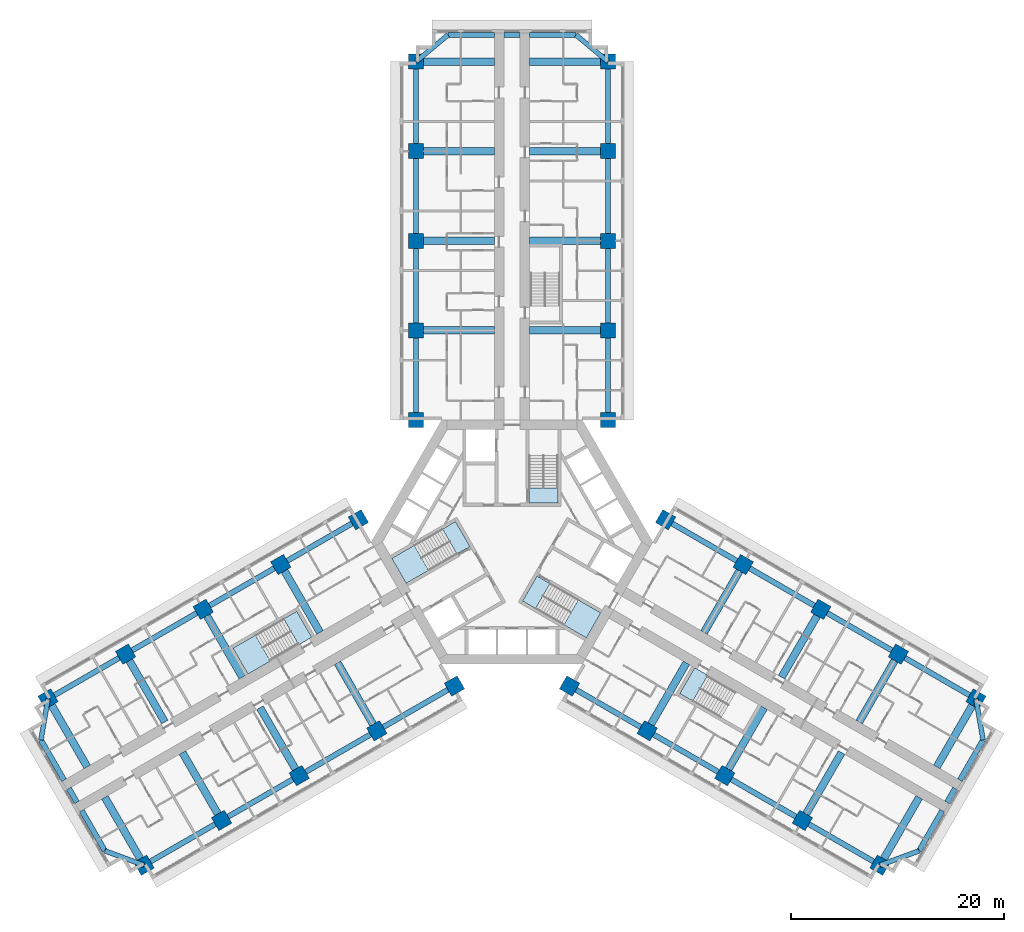
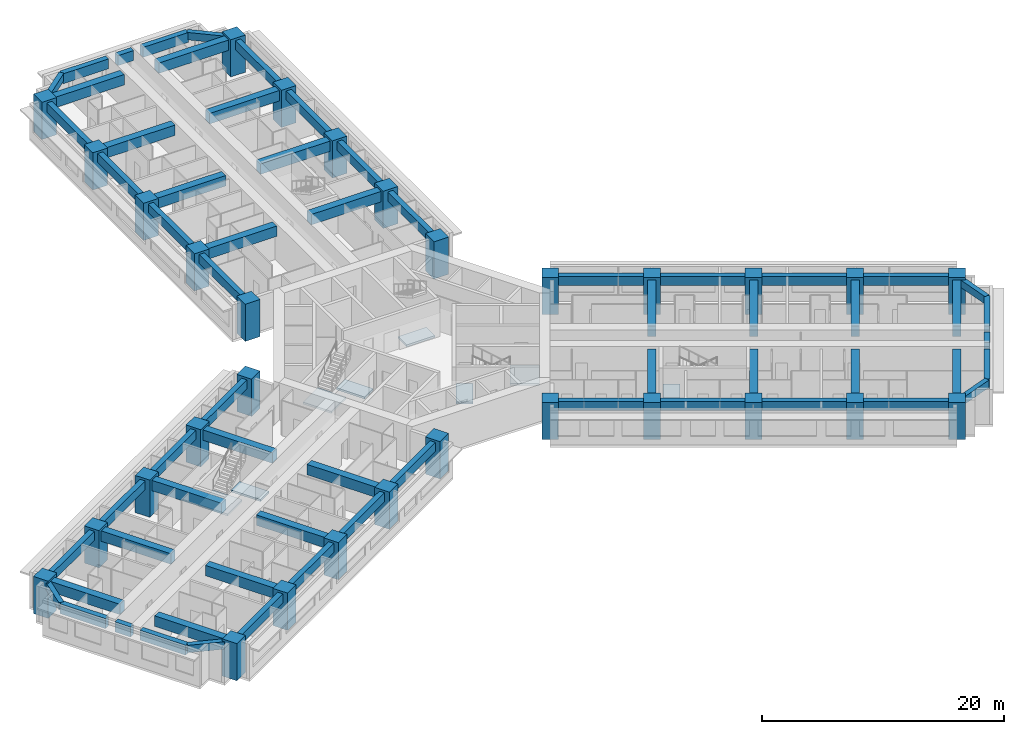
# One storey, part 1 of 16: 63 beams, 30 columns, 8 slabs, 5 elements without a shape of their own.
"""IFC4 building model written with IfcOpenShell, lengths in metres."""

from ifc_helpers import new_model, si_unit, direction, frame, origin, origin_2d, place, context, subcontext, project, spatial, polyline, rectangle, outline, extrude, material, layer, layer_set, material_profile, profile_set, type_object, element, aggregate, save


model = new_model("IFC4")

# Units and contexts
model_context = context("Model", 3, precision=1e-05, world=origin(), true_north=direction((0.0, 1.0)))
body_context = subcontext(model_context, "Body", "Model", "MODEL_VIEW")
ifc_project = project(units=[si_unit("LENGTHUNIT", "METRE"), si_unit("AREAUNIT", "SQUARE_METRE"), si_unit("VOLUMEUNIT", "CUBIC_METRE"), si_unit("PLANEANGLEUNIT", "RADIAN"), si_unit("MASSUNIT", "GRAM", prefix="KILO")], contexts=[model_context])

# Site, building, storey
site_placement = place(None, origin())
site = spatial("IfcSite", under=ifc_project, at=site_placement, CompositionType="ELEMENT")
building_placement = place(site_placement, origin())
building = spatial("IfcBuilding", under=site, at=building_placement, Name="Impinga Residences", CompositionType="ELEMENT")
storey_placement = place(building_placement, frame((0.0, 0.0, 63.5)))
storey = spatial("IfcBuildingStorey", under=building, at=storey_placement, Name="L15", CompositionType="ELEMENT", Elevation=63.5)

# Columns
ifc_material_1 = material(Name="Concrete C70/85", Category="concrete")
ifc_material_profile_1 = material_profile(ifc_material_1, rectangle(XDim=1.39990234375, YDim=1.39990234375, at=origin_2d()), Name="RC 1400x1400")
ifc_profile_set_1 = profile_set([ifc_material_profile_1], Name="Concrete C70/85")
column_type = type_object("IfcColumnType", Name="C2 1400x1400 column", PredefinedType="COLUMN", material=ifc_profile_set_1)
for number, where, z_axis, x_axis, name in (
    (1, (-9.0, 11.431640625, 0.0), (0.0, 0.0, 1.0), (1.0, 0.0, 0.0), "Column C2 N1/NA L15"),
    (2, (9.0, 11.431640625, 0.0), (0.0, 0.0, 1.0), (1.0, 0.0, 0.0), "Column C2 N1/NF L15"),
    (3, (-9.0, 19.83154296875, 0.0), (0.0, 0.0, 1.0), (1.0, 0.0, 0.0), "Column C2 N2/NA L15"),
    (4, (9.0, 19.83154296875, 0.0), (0.0, 0.0, 1.0), (1.0, 0.0, 0.0), "Column C2 N2/NF L15"),
    (5, (-9.0, 28.2314453125, 0.0), (0.0, 0.0, 1.0), (1.0, 0.0, 0.0), "Column C2 N3/NA L15"),
    (6, (9.0, 28.2314453125, 0.0), (0.0, 0.0, 1.0), (1.0, 0.0, 0.0), "Column C2 N3/NF L15"),
    (7, (-9.0, 36.631591796875, 0.0), (0.0, 0.0, 1.0), (1.0, 0.0, 0.0), "Column C2 N4/NA L15"),
    (8, (9.0, 36.631591796875, 0.0), (0.0, 0.0, 1.0), (1.0, 0.0, 0.0), "Column C2 N4/NF L15"),
    (9, (-9.0, 45.031494140625, 0.0), (0.0, 0.0, 1.0), (1.0, 0.0, 0.0), "Column C2 N5/NA L15"),
    (10, (9.0, 45.031494140625, 0.0), (0.0, 0.0, 1.0), (1.0, 0.0, 0.0), "Column C2 N5/NF L15"),
    (11, (-5.39990234375, -13.510009765625, 0.0), (0.0, 0.0, 1.0), (-0.5, 0.866025403784, 0.0), "Column C2 W1/WA L15"),
    (12, (-14.39990234375, 2.078369140625, 0.0), (0.0, 0.0, 1.0), (-0.5, 0.866025403784, 0.0), "Column C2 W1/WF L15"),
    (13, (-12.674560546875, -17.7099609375, 0.0), (0.0, 0.0, 1.0), (-0.5, 0.866025403784, 0.0), "Column C2 W2/WA L15"),
    (14, (-21.674560546875, -2.12158203125, 0.0), (0.0, 0.0, 1.0), (-0.5, 0.866025403784, 0.0), "Column C2 W2/WF L15"),
    (15, (-19.94921875, -21.909912109375, 0.0), (0.0, 0.0, 1.0), (-0.5, 0.866025403784, 0.0), "Column C2 W3/WA L15"),
    (16, (-28.94921875, -6.321533203125, 0.0), (0.0, 0.0, 1.0), (-0.5, 0.866025403784, 0.0), "Column C2 W3/WF L15"),
    (17, (-27.223876953125, -26.110107421875, 0.0), (0.0, 0.0, 1.0), (-0.5, 0.866025403784, 0.0), "Column C2 W4/WA L15"),
    (18, (-36.223876953125, -10.521484375, 0.0), (0.0, 0.0, 1.0), (-0.5, 0.866025403784, 0.0), "Column C2 W4/WF L15"),
    (19, (-34.49853515625, -30.31005859375, 0.0), (0.0, 0.0, 1.0), (-0.5, 0.866025403784, 0.0), "Column C2 W5/WA L15"),
    (20, (-43.49853515625, -14.721435546875, 0.0), (0.0, 0.0, 1.0), (-0.5, 0.866025403784, 0.0), "Column C2 W5/WF L15"),
    (21, (14.39990234375, 2.078369140625, 0.0), (0.0, 0.0, 1.0), (-0.5, -0.866025403784, 0.0), "Column C2 E1/EA L15"),
    (22, (5.39990234375, -13.510009765625, 0.0), (0.0, 0.0, 1.0), (-0.5, -0.866025403784, 0.0), "Column C2 E1/EF L15"),
    (23, (21.674560546875, -2.12158203125, 0.0), (0.0, 0.0, 1.0), (-0.5, -0.866025403784, 0.0), "Column C2 E2/EA L15"),
    (24, (12.674560546875, -17.7099609375, 0.0), (0.0, 0.0, 1.0), (-0.5, -0.866025403784, 0.0), "Column C2 E2/EF L15"),
    (25, (28.94921875, -6.321533203125, 0.0), (0.0, 0.0, 1.0), (-0.5, -0.866025403784, 0.0), "Column C2 E3/EA L15"),
    (26, (19.94921875, -21.909912109375, 0.0), (0.0, 0.0, 1.0), (-0.5, -0.866025403784, 0.0), "Column C2 E3/EF L15"),
    (27, (36.223876953125, -10.521484375, 0.0), (0.0, 0.0, 1.0), (-0.5, -0.866025403784, 0.0), "Column C2 E4/EA L15"),
    (28, (27.223876953125, -26.110107421875, 0.0), (0.0, 0.0, 1.0), (-0.5, -0.866025403784, 0.0), "Column C2 E4/EF L15"),
    (29, (43.49853515625, -14.721435546875, 0.0), (0.0, 0.0, 1.0), (-0.5, -0.866025403784, 0.0), "Column C2 E5/EA L15"),
    (30, (34.49853515625, -30.31005859375, 0.0), (0.0, 0.0, 1.0), (-0.5, -0.866025403784, 0.0), "Column C2 E5/EF L15"),
):
    element("IfcColumn", number, at=place(storey_placement, frame(where, z_axis=z_axis, x_axis=x_axis)), inside=storey, type_object=column_type, Name=name, PredefinedType="COLUMN", context=body_context, shape_type="SweptSolid", body=[
        extrude(rectangle(XDim=1.39990234375, YDim=1.39990234375, at=origin_2d()), origin(), (0.0, 0.0, 1.0), 3.75),
    ])

# Beams
ifc_material_2 = material(Name="Concrete C60/75", Category="concrete")
ifc_material_profile_2 = material_profile(ifc_material_2, rectangle(XDim=0.449951171875, YDim=0.75, at=origin_2d()), Name="RC 450x750")
ifc_profile_set_2 = profile_set([ifc_material_profile_2], Name="Concrete C60/75")
beam_type_1 = type_object("IfcBeamType", Name="CB1 450x750 wing end cantilever beam", PredefinedType="BEAM", material=ifc_profile_set_2)
for number, where, z_axis, x_axis, name in (
    (31, (-9.0, 45.031494140625, 3.155029296875), (0.768221279597, 0.640184399664, 0.0), (-0.640184399664, 0.768221279597, 0.0), "Beam CB1 NB N5-NX level L16"),
    (32, (9.0, 45.031494140625, 3.155029296875), (-0.768221279597, 0.640184399664, 0.0), (-0.640184399664, -0.768221279597, 0.0), "Beam CB1 NE N5-NX level L16"),
    (33, (-34.49853515625, -30.31005859375, 3.155029296875), (-0.938520178725, 0.345224382289, 0.0), (-0.345224382289, -0.938520178725, 0.0), "Beam CB1 WB W5-WX level L16"),
):
    element("IfcBeam", number, at=place(storey_placement, frame(where, z_axis=z_axis, x_axis=x_axis)), inside=storey, type_object=beam_type_1, Name=name, PredefinedType="BEAM", context=body_context, shape_type="SweptSolid", body=[
        extrude(rectangle(XDim=0.449951171875, YDim=0.75, at=origin_2d()), origin(), (0.0, 0.0, 1.0), 3.905029296875),
    ])
for number, where, z_axis, x_axis, name in (
    (34, (-43.49853515625, -14.721435546875, 3.155029296875), (-0.170296298948, -0.985392901621, 0.0), (0.985392901621, -0.170296298948, 0.0), "Beam CB1 WE W5-WX level L16"),
    (35, (43.49853515625, -14.721435546875, 3.155029296875), (0.170296298948, -0.985392901621, 0.0), (0.985392901621, 0.170296298948, 0.0), "Beam CB1 EB E5-EX level L16"),
):
    element("IfcBeam", number, at=place(storey_placement, frame(where, z_axis=z_axis, x_axis=x_axis)), inside=storey, type_object=beam_type_1, Name=name, PredefinedType="BEAM", context=body_context, shape_type="SweptSolid", body=[
        extrude(rectangle(XDim=0.449951171875, YDim=0.75, at=origin_2d()), origin(), (0.0, 0.0, 1.0), 3.9052734375),
    ])
beam_1_placement = place(storey_placement, frame((34.49853515625, -30.31005859375, 3.155029296875), z_axis=(0.938520178725, 0.345224382289, 0.0), x_axis=(-0.345224382289, 0.938520178725, 0.0)))
element("IfcBeam", 36, at=beam_1_placement, inside=storey, type_object=beam_type_1, Name="Beam CB1 EE E5-EX level L16", PredefinedType="BEAM", context=body_context, shape_type="SweptSolid", body=[
    extrude(rectangle(XDim=0.449951171875, YDim=0.75, at=origin_2d()), origin(), (0.0, 0.0, 1.0), 3.905029296875),
])
ifc_material_profile_3 = material_profile(ifc_material_2, rectangle(XDim=0.699951171875, YDim=1.050048828125, at=origin_2d()), Name="RC 700x1050")
ifc_profile_set_3 = profile_set([ifc_material_profile_3], Name="Concrete C60/75")
beam_type_2 = type_object("IfcBeamType", Name="CG1 700x1050 cross girder on a wing bay line", PredefinedType="BEAM", material=ifc_profile_set_3)
for number, where, z_axis, x_axis, name in (
    (37, (-1.64990234375, 19.83154296875, 3.0048828125), (-1.0, 0.0, 0.0), (0.0, -1.0, 0.0), "Beam CG1 N2 NC/NA level L16"),
    (38, (-1.64990234375, 28.2314453125, 3.0048828125), (-1.0, 0.0, 0.0), (0.0, -1.0, 0.0), "Beam CG1 N3 NC/NA level L16"),
    (39, (-1.64990234375, 36.631591796875, 3.0048828125), (-1.0, 0.0, 0.0), (0.0, -1.0, 0.0), "Beam CG1 N4 NC/NA level L16"),
    (40, (-1.64990234375, 45.031494140625, 3.0048828125), (-1.0, 0.0, 0.0), (0.0, -1.0, 0.0), "Beam CG1 N5 NC/NA level L16"),
    (41, (1.64990234375, 19.83154296875, 3.0048828125), (1.0, 0.0, 0.0), (0.0, 1.0, 0.0), "Beam CG1 N2 NC/NF level L16"),
    (42, (1.64990234375, 28.2314453125, 3.0048828125), (1.0, 0.0, 0.0), (0.0, 1.0, 0.0), "Beam CG1 N3 NC/NF level L16"),
    (43, (1.64990234375, 36.631591796875, 3.0048828125), (1.0, 0.0, 0.0), (0.0, 1.0, 0.0), "Beam CG1 N4 NC/NF level L16"),
    (44, (1.64990234375, 45.031494140625, 3.0048828125), (1.0, 0.0, 0.0), (0.0, 1.0, 0.0), "Beam CG1 N5 NC/NF level L16"),
    (45, (-16.349609375, -11.3447265625, 3.0048828125), (0.500008066151, -0.86602074674, 0.0), (0.86602074674, 0.500008066151, 0.0), "Beam CG1 W2 WC/WA level L16"),
    (46, (-23.624267578125, -15.544677734375, 3.0048828125), (0.500008066151, -0.86602074674, 0.0), (0.86602074674, 0.500008066151, 0.0), "Beam CG1 W3 WC/WA level L16"),
    (47, (-30.89892578125, -19.74462890625, 3.0048828125), (0.499993683172, -0.866029050776, 0.0), (0.866029050776, 0.499993683172, 0.0), "Beam CG1 W4 WC/WA level L16"),
):
    element("IfcBeam", number, at=place(storey_placement, frame(where, z_axis=z_axis, x_axis=x_axis)), inside=storey, type_object=beam_type_2, Name=name, PredefinedType="BEAM", context=body_context, shape_type="SweptSolid", body=[
        extrude(rectangle(XDim=0.699951171875, YDim=1.050048828125, at=origin_2d()), origin(), (0.0, 0.0, 1.0), 7.35009765625),
    ])
beam_2_placement = place(storey_placement, frame((-38.17333984375, -23.94482421875, 3.0048828125), z_axis=(0.499983153418, -0.866035129944, 0.0), x_axis=(0.866035129944, 0.499983153418, 0.0)))
element("IfcBeam", 48, at=beam_2_placement, inside=storey, type_object=beam_type_2, Name="Beam CG1 W5 WC/WA level L16", PredefinedType="BEAM", context=body_context, shape_type="SweptSolid", body=[
    extrude(rectangle(XDim=0.699951171875, YDim=1.050048828125, at=origin_2d()), origin(), (0.0, 0.0, 1.0), 7.349853515625),
])
for number, where, z_axis, x_axis, name in (
    (49, (-17.99951171875, -8.48681640625, 3.0048828125), (-0.500008066151, 0.86602074674, 0.0), (-0.86602074674, -0.500008066151, 0.0), "Beam CG1 W2 WC/WF level L16"),
    (50, (-25.274169921875, -12.686767578125, 3.0048828125), (-0.500008066151, 0.86602074674, 0.0), (-0.86602074674, -0.500008066151, 0.0), "Beam CG1 W3 WC/WF level L16"),
    (51, (-32.548828125, -16.88671875, 3.0048828125), (-0.500008066151, 0.86602074674, 0.0), (-0.86602074674, -0.500008066151, 0.0), "Beam CG1 W4 WC/WF level L16"),
    (52, (-39.823486328125, -21.0869140625, 3.0048828125), (-0.499993683172, 0.866029050776, 0.0), (-0.866029050776, -0.499993683172, 0.0), "Beam CG1 W5 WC/WF level L16"),
    (53, (17.99951171875, -8.48681640625, 3.0048828125), (0.500008066151, 0.86602074674, 0.0), (-0.86602074674, 0.500008066151, 0.0), "Beam CG1 E2 EC/EA level L16"),
    (54, (25.274169921875, -12.686767578125, 3.0048828125), (0.500008066151, 0.86602074674, 0.0), (-0.86602074674, 0.500008066151, 0.0), "Beam CG1 E3 EC/EA level L16"),
    (55, (32.548828125, -16.88671875, 3.0048828125), (0.500008066151, 0.86602074674, 0.0), (-0.86602074674, 0.500008066151, 0.0), "Beam CG1 E4 EC/EA level L16"),
    (56, (39.823486328125, -21.0869140625, 3.0048828125), (0.499993683172, 0.866029050776, 0.0), (-0.866029050776, 0.499993683172, 0.0), "Beam CG1 E5 EC/EA level L16"),
    (57, (16.349609375, -11.3447265625, 3.0048828125), (-0.500008066151, -0.86602074674, 0.0), (0.86602074674, -0.500008066151, 0.0), "Beam CG1 E2 EC/EF level L16"),
    (58, (23.624267578125, -15.544677734375, 3.0048828125), (-0.500008066151, -0.86602074674, 0.0), (0.86602074674, -0.500008066151, 0.0), "Beam CG1 E3 EC/EF level L16"),
    (59, (30.89892578125, -19.74462890625, 3.0048828125), (-0.499993683172, -0.866029050776, 0.0), (0.866029050776, -0.499993683172, 0.0), "Beam CG1 E4 EC/EF level L16"),
):
    element("IfcBeam", number, at=place(storey_placement, frame(where, z_axis=z_axis, x_axis=x_axis)), inside=storey, type_object=beam_type_2, Name=name, PredefinedType="BEAM", context=body_context, shape_type="SweptSolid", body=[
        extrude(rectangle(XDim=0.699951171875, YDim=1.050048828125, at=origin_2d()), origin(), (0.0, 0.0, 1.0), 7.35009765625),
    ])
beam_3_placement = place(storey_placement, frame((38.17333984375, -23.94482421875, 3.0048828125), z_axis=(-0.499983153418, -0.866035129944, 0.0), x_axis=(0.866035129944, -0.499983153418, 0.0)))
element("IfcBeam", 60, at=beam_3_placement, inside=storey, type_object=beam_type_2, Name="Beam CG1 E5 EC/EF level L16", PredefinedType="BEAM", context=body_context, shape_type="SweptSolid", body=[
    extrude(rectangle(XDim=0.699951171875, YDim=1.050048828125, at=origin_2d()), origin(), (0.0, 0.0, 1.0), 7.349853515625),
])
ifc_material_profile_4 = material_profile(ifc_material_2, rectangle(XDim=0.5, YDim=1.0, at=origin_2d()), Name="RC 500x1000")
ifc_profile_set_4 = profile_set([ifc_material_profile_4], Name="Concrete C60/75")
beam_type_3 = type_object("IfcBeamType", Name="EB1 500x1000 wing end beam", PredefinedType="BEAM", material=ifc_profile_set_4)
beam_4_placement = place(storey_placement, frame((-6.0, 47.531494140625, 3.030029296875), z_axis=(1.0, 0.0, 0.0), x_axis=(0.0, 1.0, 0.0)))
element("IfcBeam", 61, at=beam_4_placement, inside=storey, type_object=beam_type_3, Name="Beam EB1 NX4 level L16", PredefinedType="BEAM", context=body_context, shape_type="SweptSolid", body=[
    extrude(rectangle(XDim=0.5, YDim=1.0, at=origin_2d()), origin(), (0.0, 0.0, 1.0), 4.35009765625),
])
beam_5_placement = place(storey_placement, frame((-0.75, 47.531494140625, 3.030029296875), z_axis=(1.0, 0.0, 0.0), x_axis=(0.0, 1.0, 0.0)))
element("IfcBeam", 62, at=beam_5_placement, inside=storey, type_object=beam_type_3, Name="Beam EB1 NX4 level L16", PredefinedType="BEAM", context=body_context, shape_type="SweptSolid", body=[
    extrude(rectangle(XDim=0.5, YDim=1.0, at=origin_2d()), origin(), (0.0, 0.0, 1.0), 1.5),
])
beam_6_placement = place(storey_placement, frame((1.64990234375, 47.531494140625, 3.030029296875), z_axis=(1.0, 0.0, 0.0), x_axis=(0.0, 1.0, 0.0)))
element("IfcBeam", 63, at=beam_6_placement, inside=storey, type_object=beam_type_3, Name="Beam EB1 NX4 level L16", PredefinedType="BEAM", context=body_context, shape_type="SweptSolid", body=[
    extrude(rectangle(XDim=0.5, YDim=1.0, at=origin_2d()), origin(), (0.0, 0.0, 1.0), 4.35009765625),
])
beam_7_placement = place(storey_placement, frame((-38.16357421875, -28.9619140625, 3.030029296875), z_axis=(-0.500020430026, 0.866013608182, 0.0), x_axis=(-0.866013608182, -0.500020430026, 0.0)))
element("IfcBeam", 64, at=beam_7_placement, inside=storey, type_object=beam_type_3, Name="Beam EB1 WX4 level L16", PredefinedType="BEAM", context=body_context, shape_type="SweptSolid", body=[
    extrude(rectangle(XDim=0.5, YDim=1.0, at=origin_2d()), origin(), (0.0, 0.0, 1.0), 4.349853515625),
])
beam_8_placement = place(storey_placement, frame((-40.78857421875, -24.415283203125, 3.030029296875), z_axis=(-0.499990139034, 0.866031096941, 0.0), x_axis=(-0.866031096941, -0.499990139034, 0.0)))
element("IfcBeam", 65, at=beam_8_placement, inside=storey, type_object=beam_type_3, Name="Beam EB1 WX4 level L16", PredefinedType="BEAM", context=body_context, shape_type="SweptSolid", body=[
    extrude(rectangle(XDim=0.5, YDim=1.0, at=origin_2d()), origin(), (0.0, 0.0, 1.0), 1.5),
])
for number, where, z_axis, x_axis, name in (
    (66, (-41.988525390625, -22.3369140625, 3.030029296875), (-0.499996127374, 0.866027639635, 0.0), (-0.866027639635, -0.499996127374, 0.0), "Beam EB1 WX4 level L16"),
    (67, (44.16357421875, -18.569580078125, 3.030029296875), (-0.499996127374, -0.866027639635, 0.0), (0.866027639635, -0.499996127374, 0.0), "Beam EB1 EX4 level L16"),
):
    element("IfcBeam", number, at=place(storey_placement, frame(where, z_axis=z_axis, x_axis=x_axis)), inside=storey, type_object=beam_type_3, Name=name, PredefinedType="BEAM", context=body_context, shape_type="SweptSolid", body=[
        extrude(rectangle(XDim=0.5, YDim=1.0, at=origin_2d()), origin(), (0.0, 0.0, 1.0), 4.35009765625),
    ])
beam_9_placement = place(storey_placement, frame((41.53857421875, -23.1162109375, 3.030029296875), z_axis=(-0.499990139034, -0.866031096941, 0.0), x_axis=(0.866031096941, -0.499990139034, 0.0)))
element("IfcBeam", 68, at=beam_9_placement, inside=storey, type_object=beam_type_3, Name="Beam EB1 EX4 level L16", PredefinedType="BEAM", context=body_context, shape_type="SweptSolid", body=[
    extrude(rectangle(XDim=0.5, YDim=1.0, at=origin_2d()), origin(), (0.0, 0.0, 1.0), 1.5),
])
beam_10_placement = place(storey_placement, frame((40.338623046875, -25.19482421875, 3.030029296875), z_axis=(-0.500020430026, -0.866013608182, 0.0), x_axis=(0.866013608182, -0.500020430026, 0.0)))
element("IfcBeam", 69, at=beam_10_placement, inside=storey, type_object=beam_type_3, Name="Beam EB1 EX4 level L16", PredefinedType="BEAM", context=body_context, shape_type="SweptSolid", body=[
    extrude(rectangle(XDim=0.5, YDim=1.0, at=origin_2d()), origin(), (0.0, 0.0, 1.0), 4.349853515625),
])
ifc_material_profile_5 = material_profile(ifc_material_2, rectangle(XDim=0.5, YDim=0.89990234375, at=origin_2d()), Name="RC 500x900")
ifc_profile_set_5 = profile_set([ifc_material_profile_5], Name="Concrete C60/75")
beam_type_4 = type_object("IfcBeamType", Name="SB1 500x900 perimeter spandrel beam", PredefinedType="SPANDREL", material=ifc_profile_set_5)
for number, where, z_axis, x_axis, name in (
    (70, (-9.0, 11.431640625, 3.080078125), (0.0, 1.0, 0.0), (-1.0, 0.0, 0.0), "Beam SB1 NA N1-N2 level L16"),
    (71, (-9.0, 19.83154296875, 3.080078125), (0.0, 1.0, 0.0), (-1.0, 0.0, 0.0), "Beam SB1 NA N2-N3 level L16"),
):
    element("IfcBeam", number, at=place(storey_placement, frame(where, z_axis=z_axis, x_axis=x_axis)), inside=storey, type_object=beam_type_4, Name=name, PredefinedType="SPANDREL", context=body_context, shape_type="SweptSolid", body=[
        extrude(rectangle(XDim=0.5, YDim=0.89990234375, at=origin_2d()), origin(), (0.0, 0.0, 1.0), 8.39990234375),
    ])
beam_11_placement = place(storey_placement, frame((-9.0, 28.2314453125, 3.080078125), z_axis=(0.0, 1.0, 0.0), x_axis=(-1.0, 0.0, 0.0)))
element("IfcBeam", 72, at=beam_11_placement, inside=storey, type_object=beam_type_4, Name="Beam SB1 NA N3-N4 level L16", PredefinedType="SPANDREL", context=body_context, shape_type="SweptSolid", body=[
    extrude(rectangle(XDim=0.5, YDim=0.89990234375, at=origin_2d()), origin(), (0.0, 0.0, 1.0), 8.400146484375),
])
for number, where, z_axis, x_axis, name in (
    (73, (-9.0, 36.631591796875, 3.080078125), (0.0, 1.0, 0.0), (-1.0, 0.0, 0.0), "Beam SB1 NA N4-N5 level L16"),
    (74, (9.0, 11.431640625, 3.080078125), (0.0, 1.0, 0.0), (-1.0, 0.0, 0.0), "Beam SB1 NF N1-N2 level L16"),
    (75, (9.0, 19.83154296875, 3.080078125), (0.0, 1.0, 0.0), (-1.0, 0.0, 0.0), "Beam SB1 NF N2-N3 level L16"),
):
    element("IfcBeam", number, at=place(storey_placement, frame(where, z_axis=z_axis, x_axis=x_axis)), inside=storey, type_object=beam_type_4, Name=name, PredefinedType="SPANDREL", context=body_context, shape_type="SweptSolid", body=[
        extrude(rectangle(XDim=0.5, YDim=0.89990234375, at=origin_2d()), origin(), (0.0, 0.0, 1.0), 8.39990234375),
    ])
beam_12_placement = place(storey_placement, frame((9.0, 28.2314453125, 3.080078125), z_axis=(0.0, 1.0, 0.0), x_axis=(-1.0, 0.0, 0.0)))
element("IfcBeam", 76, at=beam_12_placement, inside=storey, type_object=beam_type_4, Name="Beam SB1 NF N3-N4 level L16", PredefinedType="SPANDREL", context=body_context, shape_type="SweptSolid", body=[
    extrude(rectangle(XDim=0.5, YDim=0.89990234375, at=origin_2d()), origin(), (0.0, 0.0, 1.0), 8.400146484375),
])
for number, where, z_axis, x_axis, name in (
    (77, (9.0, 36.631591796875, 3.080078125), (0.0, 1.0, 0.0), (-1.0, 0.0, 0.0), "Beam SB1 NF N4-N5 level L16"),
    (78, (-5.39990234375, -13.510009765625, 3.080078125), (-0.86602925447, -0.499993330357, 0.0), (0.499993330357, -0.86602925447, 0.0), "Beam SB1 WA W1-W2 level L16"),
    (79, (-12.674560546875, -17.7099609375, 3.080078125), (-0.86602925447, -0.499993330357, 0.0), (0.499993330357, -0.86602925447, 0.0), "Beam SB1 WA W2-W3 level L16"),
):
    element("IfcBeam", number, at=place(storey_placement, frame(where, z_axis=z_axis, x_axis=x_axis)), inside=storey, type_object=beam_type_4, Name=name, PredefinedType="SPANDREL", context=body_context, shape_type="SweptSolid", body=[
        extrude(rectangle(XDim=0.5, YDim=0.89990234375, at=origin_2d()), origin(), (0.0, 0.0, 1.0), 8.39990234375),
    ])
beam_13_placement = place(storey_placement, frame((-19.94921875, -21.909912109375, 3.080078125), z_axis=(-0.866016669275, -0.500015128309, 0.0), x_axis=(0.500015128309, -0.866016669275, 0.0)))
element("IfcBeam", 80, at=beam_13_placement, inside=storey, type_object=beam_type_4, Name="Beam SB1 WA W3-W4 level L16", PredefinedType="SPANDREL", context=body_context, shape_type="SweptSolid", body=[
    extrude(rectangle(XDim=0.5, YDim=0.89990234375, at=origin_2d()), origin(), (0.0, 0.0, 1.0), 8.400146484375),
])
for number, where, z_axis, x_axis, name in (
    (81, (-27.223876953125, -26.110107421875, 3.080078125), (-0.86602925447, -0.499993330357, 0.0), (0.499993330357, -0.86602925447, 0.0), "Beam SB1 WA W4-W5 level L16"),
    (82, (-14.39990234375, 2.078369140625, 3.080078125), (-0.86602925447, -0.499993330357, 0.0), (0.499993330357, -0.86602925447, 0.0), "Beam SB1 WF W1-W2 level L16"),
    (83, (-21.674560546875, -2.12158203125, 3.080078125), (-0.86602925447, -0.499993330357, 0.0), (0.499993330357, -0.86602925447, 0.0), "Beam SB1 WF W2-W3 level L16"),
    (84, (-28.94921875, -6.321533203125, 3.080078125), (-0.86602925447, -0.499993330357, 0.0), (0.499993330357, -0.86602925447, 0.0), "Beam SB1 WF W3-W4 level L16"),
    (85, (-36.223876953125, -10.521484375, 3.080078125), (-0.86602925447, -0.499993330357, 0.0), (0.499993330357, -0.86602925447, 0.0), "Beam SB1 WF W4-W5 level L16"),
    (86, (14.39990234375, 2.078369140625, 3.080078125), (0.86602925447, -0.499993330357, 0.0), (0.499993330357, 0.86602925447, 0.0), "Beam SB1 EA E1-E2 level L16"),
    (87, (21.674560546875, -2.12158203125, 3.080078125), (0.86602925447, -0.499993330357, 0.0), (0.499993330357, 0.86602925447, 0.0), "Beam SB1 EA E2-E3 level L16"),
    (88, (28.94921875, -6.321533203125, 3.080078125), (0.86602925447, -0.499993330357, 0.0), (0.499993330357, 0.86602925447, 0.0), "Beam SB1 EA E3-E4 level L16"),
    (89, (36.223876953125, -10.521484375, 3.080078125), (0.86602925447, -0.499993330357, 0.0), (0.499993330357, 0.86602925447, 0.0), "Beam SB1 EA E4-E5 level L16"),
    (90, (5.39990234375, -13.510009765625, 3.080078125), (0.86602925447, -0.499993330357, 0.0), (0.499993330357, 0.86602925447, 0.0), "Beam SB1 EF E1-E2 level L16"),
    (91, (12.674560546875, -17.7099609375, 3.080078125), (0.86602925447, -0.499993330357, 0.0), (0.499993330357, 0.86602925447, 0.0), "Beam SB1 EF E2-E3 level L16"),
):
    element("IfcBeam", number, at=place(storey_placement, frame(where, z_axis=z_axis, x_axis=x_axis)), inside=storey, type_object=beam_type_4, Name=name, PredefinedType="SPANDREL", context=body_context, shape_type="SweptSolid", body=[
        extrude(rectangle(XDim=0.5, YDim=0.89990234375, at=origin_2d()), origin(), (0.0, 0.0, 1.0), 8.39990234375),
    ])
beam_14_placement = place(storey_placement, frame((19.94921875, -21.909912109375, 3.080078125), z_axis=(0.866016669275, -0.500015128309, 0.0), x_axis=(0.500015128309, 0.866016669275, 0.0)))
element("IfcBeam", 92, at=beam_14_placement, inside=storey, type_object=beam_type_4, Name="Beam SB1 EF E3-E4 level L16", PredefinedType="SPANDREL", context=body_context, shape_type="SweptSolid", body=[
    extrude(rectangle(XDim=0.5, YDim=0.89990234375, at=origin_2d()), origin(), (0.0, 0.0, 1.0), 8.400146484375),
])
beam_15_placement = place(storey_placement, frame((27.223876953125, -26.110107421875, 3.080078125), z_axis=(0.86602925447, -0.499993330357, 0.0), x_axis=(0.499993330357, 0.86602925447, 0.0)))
element("IfcBeam", 93, at=beam_15_placement, inside=storey, type_object=beam_type_4, Name="Beam SB1 EF E4-E5 level L16", PredefinedType="SPANDREL", context=body_context, shape_type="SweptSolid", body=[
    extrude(rectangle(XDim=0.5, YDim=0.89990234375, at=origin_2d()), origin(), (0.0, 0.0, 1.0), 8.39990234375),
])

# Stair, slab
ifc_material_3 = material(Name="Concrete C40/50", Category="concrete")
stair_type_1 = type_object("IfcStairType", Name="STR core stair 3750 storey, 24 risers", PredefinedType="HALF_TURN_STAIR", material=ifc_material_3)
stair_1_placement = place(storey_placement, origin())
stair_1 = element("IfcStair", 94, at=stair_1_placement, inside=storey, type_object=stair_type_1, Name="Stair ST1 L15", PredefinedType="HALF_TURN_STAIR")
ifc_layer = layer(ifc_material_3, 0.199951171875)
ifc_layer_set = layer_set([ifc_layer], Name="Concrete C40/50")
slab_type = type_object("IfcSlabType", Name="LS1 stair landing 200", PredefinedType="LANDING", material=ifc_layer_set)
slab_1_placement = place(storey_placement, frame((0.0, 0.0, -0.199951171875)))
slab_1 = element("IfcSlab", 95, at=slab_1_placement, type_object=slab_type, Name="ST1 landing 1", PredefinedType="LANDING", context=body_context, shape_type="SweptSolid", body=[
    extrude(outline(polyline([(1.60009765625, 3.6298828125), (4.300048828125, 3.6298828125), (4.300048828125, 5.0400390625), (1.60009765625, 5.0400390625), (1.60009765625, 3.6298828125)])), origin(), (0.0, 0.0, 1.0), 0.199951171875),
])
aggregate(stair_1, [slab_1])

# Stair, slabs
stair_2_placement = place(storey_placement, origin())
stair_2 = element("IfcStair", 96, at=stair_2_placement, inside=storey, type_object=stair_type_1, Name="Stair ST2 L15", PredefinedType="HALF_TURN_STAIR")
slab_2_placement = place(storey_placement, frame((0.0, 0.0, -0.199951171875)))
slab_2 = element("IfcSlab", 97, at=slab_2_placement, type_object=slab_type, Name="ST2 landing 1", PredefinedType="LANDING", context=body_context, shape_type="SweptSolid", body=[
    extrude(outline(polyline([(-3.943603515625, -0.429443359375), (-5.293701171875, 1.908935546875), (-6.5146484375, 1.203857421875), (-5.164794921875, -1.13427734375), (-3.943603515625, -0.429443359375)])), origin(), (0.0, 0.0, 1.0), 0.199951171875),
])
slab_3_placement = place(storey_placement, frame((0.0, 0.0, 1.675048828125)))
slab_3 = element("IfcSlab", 98, at=slab_3_placement, type_object=slab_type, Name="ST2 landing 2", PredefinedType="LANDING", context=body_context, shape_type="SweptSolid", body=[
    extrude(outline(polyline([(-7.814697265625, -2.664306640625), (-9.164794921875, -0.326171875), (-11.2705078125, -1.541748046875), (-9.920654296875, -3.880126953125), (-7.814697265625, -2.664306640625)])), origin(), (0.0, 0.0, 1.0), 0.199951171875),
])
aggregate(stair_2, [slab_2, slab_3])

stair_3_placement = place(storey_placement, origin())
stair_3 = element("IfcStair", 99, at=stair_3_placement, inside=storey, type_object=stair_type_1, Name="Stair ST3 L15", PredefinedType="HALF_TURN_STAIR")
slab_4_placement = place(storey_placement, frame((0.0, 0.0, -0.199951171875)))
slab_4 = element("IfcSlab", 100, at=slab_4_placement, type_object=slab_type, Name="ST3 landing 1", PredefinedType="LANDING", context=body_context, shape_type="SweptSolid", body=[
    extrude(outline(polyline([(2.34375, -3.20068359375), (0.99365234375, -5.538818359375), (2.21484375, -6.243896484375), (3.564697265625, -3.90576171875), (2.34375, -3.20068359375)])), origin(), (0.0, 0.0, 1.0), 0.199951171875),
])
slab_5_placement = place(storey_placement, frame((0.0, 0.0, 1.675048828125)))
slab_5 = element("IfcSlab", 101, at=slab_5_placement, type_object=slab_type, Name="ST3 landing 2", PredefinedType="LANDING", context=body_context, shape_type="SweptSolid", body=[
    extrude(outline(polyline([(6.21484375, -5.435546875), (4.86474609375, -7.77392578125), (6.970458984375, -8.98974609375), (8.320556640625, -6.6513671875), (6.21484375, -5.435546875)])), origin(), (0.0, 0.0, 1.0), 0.199951171875),
])
aggregate(stair_3, [slab_4, slab_5])

stair_type_2 = type_object("IfcStairType", Name="STR wing stair 3750 storey, 24 risers", PredefinedType="HALF_TURN_STAIR", material=ifc_material_3)
stair_4_placement = place(storey_placement, origin())
stair_4 = element("IfcStair", 102, at=stair_4_placement, inside=storey, type_object=stair_type_2, Name="Stair WS2 L15", PredefinedType="HALF_TURN_STAIR")
slab_6_placement = place(storey_placement, frame((0.0, 0.0, -0.199951171875)))
slab_6 = element("IfcSlab", 103, at=slab_6_placement, type_object=slab_type, Name="WS2 landing 1", PredefinedType="LANDING", context=body_context, shape_type="SweptSolid", body=[
    extrude(outline(polyline([(-18.779052734375, -8.936767578125), (-20.178955078125, -6.511962890625), (-21.400146484375, -7.217041015625), (-20.000244140625, -9.641845703125), (-18.779052734375, -8.936767578125)])), origin(), (0.0, 0.0, 1.0), 0.199951171875),
])
slab_7_placement = place(storey_placement, frame((0.0, 0.0, 1.675048828125)))
slab_7 = element("IfcSlab", 104, at=slab_7_placement, type_object=slab_type, Name="WS2 landing 2", PredefinedType="LANDING", context=body_context, shape_type="SweptSolid", body=[
    extrude(outline(polyline([(-22.650146484375, -11.171875), (-24.050048828125, -8.7470703125), (-26.154541015625, -9.9619140625), (-24.754638671875, -12.38671875), (-22.650146484375, -11.171875)])), origin(), (0.0, 0.0, 1.0), 0.199951171875),
])
aggregate(stair_4, [slab_6, slab_7])

# Stair, slab
stair_5_placement = place(storey_placement, origin())
stair_5 = element("IfcStair", 105, at=stair_5_placement, inside=storey, type_object=stair_type_2, Name="Stair WS3 L15", PredefinedType="HALF_TURN_STAIR")
slab_8_placement = place(storey_placement, frame((0.0, 0.0, -0.199951171875)))
slab_8 = element("IfcSlab", 106, at=slab_8_placement, type_object=slab_type, Name="WS3 landing 1", PredefinedType="LANDING", context=body_context, shape_type="SweptSolid", body=[
    extrude(outline(polyline([(17.129150390625, -11.794677734375), (15.72900390625, -14.219482421875), (16.9501953125, -14.924560546875), (18.35009765625, -12.499755859375), (17.129150390625, -11.794677734375)])), origin(), (0.0, 0.0, 1.0), 0.199951171875),
])
aggregate(stair_5, [slab_8])

save(model, "model.ifc")
